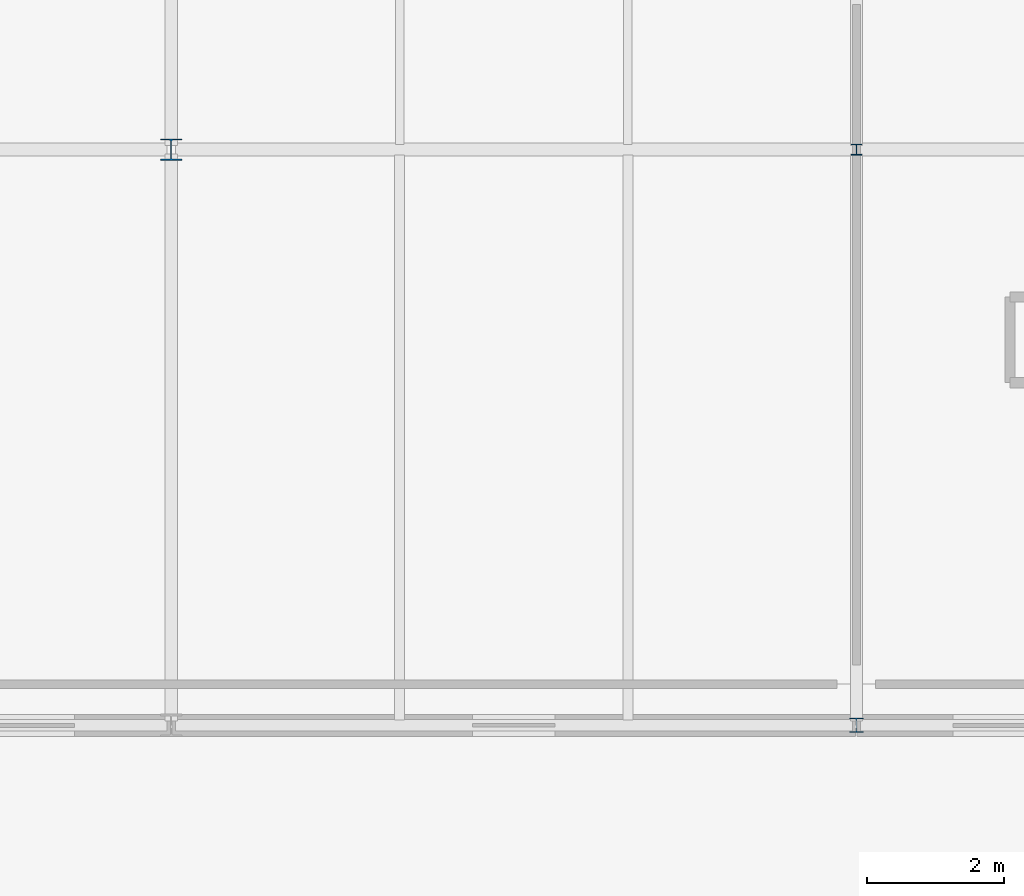
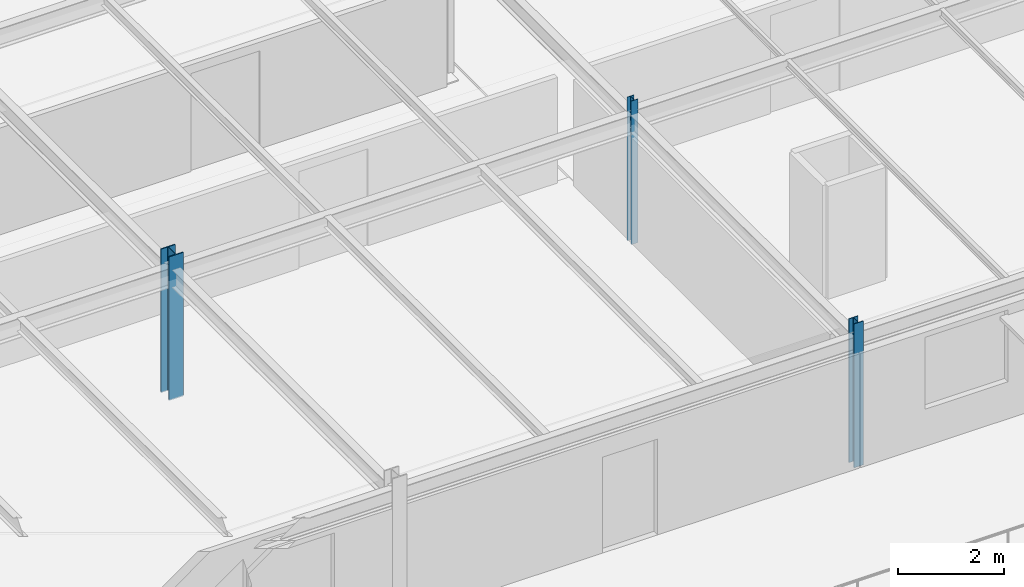
# One storey, part 2 of 23: 3 columns.
"""IFC4 building model written with IfcOpenShell, lengths in metres."""

from ifc_helpers import new_model, si_unit, derived_unit, direction, frame, origin, origin_2d_with_axis, place, context, subcontext, project, spatial, i_section, extrude, material, material_profile, profile_set, type_object, element, save


model = new_model("IFC4")

# Units and contexts
model_context = context("Model", 3, precision=1e-05, world=origin(), true_north=direction((0.0, 1.0)))
body_context = subcontext(model_context, "Body", "Model", "MODEL_VIEW")
ifc_project = project(units=[si_unit("LENGTHUNIT", "METRE"), si_unit("AREAUNIT", "SQUARE_METRE"), si_unit("VOLUMEUNIT", "CUBIC_METRE"), si_unit("PLANEANGLEUNIT", "RADIAN"), si_unit("MASSUNIT", "GRAM", prefix="KILO"), derived_unit("THERMALTRANSMITTANCEUNIT", [(si_unit("POWERUNIT", "WATT"), 1), (si_unit("LENGTHUNIT", "METRE"), -2), (si_unit("THERMODYNAMICTEMPERATUREUNIT", "KELVIN"), -1)])], contexts=[model_context])

# Site, building, storey
site_placement = place(None, origin())
site = spatial("IfcSite", under=ifc_project, at=site_placement, CompositionType="ELEMENT")
building_placement = place(site_placement, origin())
building = spatial("IfcBuilding", under=site, at=building_placement, Name="Cinnabar Yard Market Hall", CompositionType="ELEMENT")
storey_placement = place(building_placement, frame((0.0, 0.0, 12.0)))
storey = spatial("IfcBuildingStorey", under=building, at=storey_placement, Name="L03", CompositionType="ELEMENT", Elevation=12.0)

# Columns
ifc_material_1 = material(Name="Steel Grade 350 (350 MPa)", Category="steel")
ifc_material_profile_1 = material_profile(ifc_material_1, i_section(OverallWidth=0.30908203125, OverallDepth=0.320556640625, WebThickness=0.013916015625, FlangeThickness=0.021728515625, FilletRadius=0.0166015625, at=origin_2d_with_axis()), Name="310UC137")
ifc_profile_set_1 = profile_set([ifc_material_profile_1], Name="Steel Grade 350 (350 MPa)")
column_type_1 = type_object("IfcColumnType", Name="COL-C07", PredefinedType="COLUMN", material=ifc_profile_set_1)
column_1_placement = place(storey_placement, frame((86.0, 121.199951171875, 0.0), z_axis=(0.0, 0.0, 1.0), x_axis=(1.0, 0.0, 0.0)))
element("IfcColumn", 1, at=column_1_placement, inside=storey, type_object=column_type_1, Name="Wing Column V3-03-03 L03", PredefinedType="COLUMN", context=body_context, shape_type="SweptSolid", body=[
    extrude(i_section(OverallWidth=0.30908203125, OverallDepth=0.320556640625, WebThickness=0.013916015625, FlangeThickness=0.021728515625, FilletRadius=0.0166015625, at=origin_2d_with_axis()), origin(), (0.0, 0.0, 1.0), 3.300048828125),
])
ifc_material_2 = material(Name="Steel Grade 300 (300 MPa)", Category="steel")
ifc_material_profile_2 = material_profile(ifc_material_2, i_section(OverallWidth=0.205078125, OverallDepth=0.209716796875, WebThickness=0.00927734375, FlangeThickness=0.01416015625, FilletRadius=0.011474609375, at=origin_2d_with_axis()), Name="200UC59.5")
ifc_profile_set_2 = profile_set([ifc_material_profile_2], Name="Steel Grade 300 (300 MPa)")
column_type_2 = type_object("IfcColumnType", Name="COL-C17E", PredefinedType="COLUMN", material=ifc_profile_set_2)
column_2_placement = place(storey_placement, frame((96.0, 112.800048828125, 0.0), z_axis=(0.0, 0.0, 1.0), x_axis=(1.0, 0.0, 0.0)))
element("IfcColumn", 2, at=column_2_placement, inside=storey, type_object=column_type_2, Name="Wing Column V3-04-02 L03", PredefinedType="COLUMN", context=body_context, shape_type="SweptSolid", body=[
    extrude(i_section(OverallWidth=0.205078125, OverallDepth=0.209716796875, WebThickness=0.00927734375, FlangeThickness=0.01416015625, FilletRadius=0.011474609375, at=origin_2d_with_axis()), origin(), (0.0, 0.0, 1.0), 3.300048828125),
])
ifc_material_profile_3 = material_profile(ifc_material_2, i_section(OverallWidth=0.15283203125, OverallDepth=0.15771484375, WebThickness=0.006591796875, FlangeThickness=0.009521484375, FilletRadius=0.0087890625, at=origin_2d_with_axis()), Name="150UC30.0")
ifc_profile_set_3 = profile_set([ifc_material_profile_3], Name="Steel Grade 300 (300 MPa)")
column_type_3 = type_object("IfcColumnType", Name="COL-C18", PredefinedType="COLUMN", material=ifc_profile_set_3)
column_3_placement = place(storey_placement, frame((96.0, 121.199951171875, 0.0), z_axis=(0.0, 0.0, 1.0), x_axis=(1.0, 0.0, 0.0)))
element("IfcColumn", 3, at=column_3_placement, inside=storey, type_object=column_type_3, Name="Wing Column V3-04-03 L03", PredefinedType="COLUMN", context=body_context, shape_type="SweptSolid", body=[
    extrude(i_section(OverallWidth=0.15283203125, OverallDepth=0.15771484375, WebThickness=0.006591796875, FlangeThickness=0.009521484375, FilletRadius=0.0087890625, at=origin_2d_with_axis()), origin(), (0.0, 0.0, 1.0), 3.300048828125),
])

save(model, "model.ifc")
